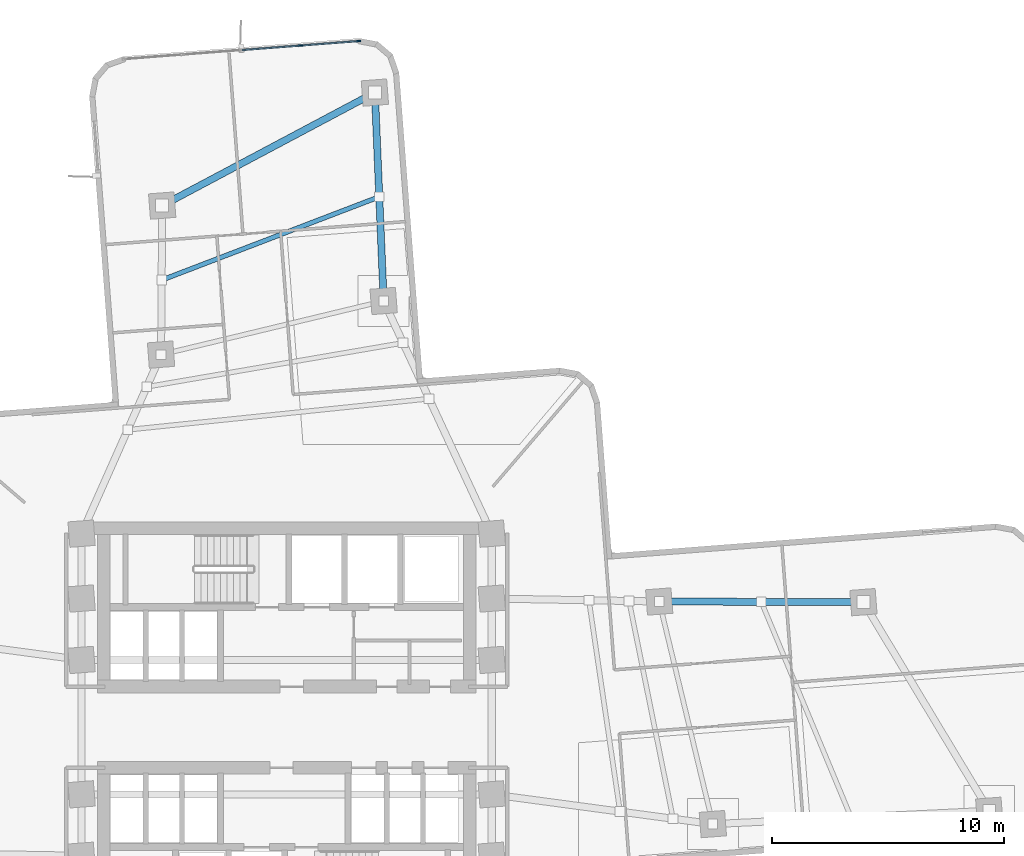
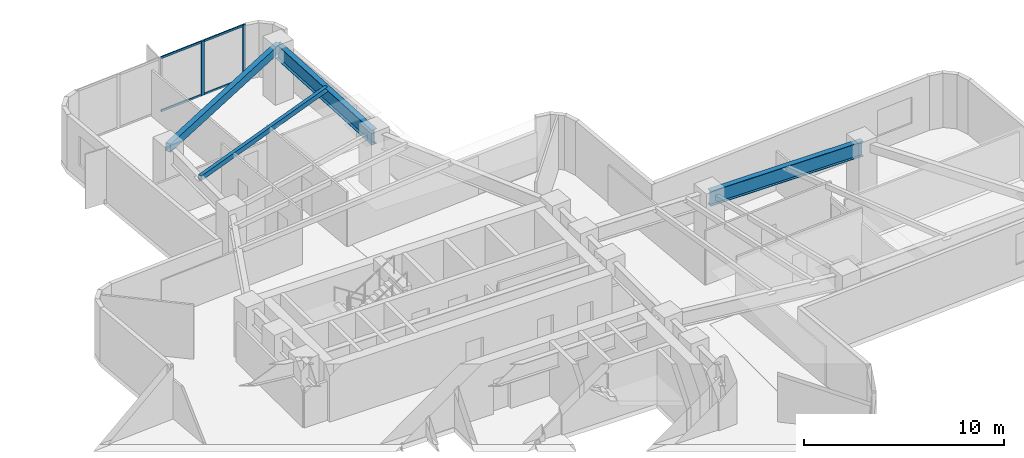
# One storey, part 6 of 15: 6 members, 4 beams, 1 element without a shape of its own.
"""IFC4 building model written with IfcOpenShell, lengths in metres."""

from ifc_helpers import new_model, si_unit, direction, frame, origin, origin_2d, place, context, subcontext, project, spatial, rectangle, hollow_rectangle, i_section, extrude, material, layer, layer_set, material_profile, profile_set, type_object, element, aggregate, save


model = new_model("IFC4")

# Units and contexts
model_context = context("Model", 3, precision=1e-05, world=origin(), true_north=direction((0.0, 1.0)))
body_context = subcontext(model_context, "Body", "Model", "MODEL_VIEW")
ifc_project = project(units=[si_unit("LENGTHUNIT", "METRE"), si_unit("AREAUNIT", "SQUARE_METRE"), si_unit("VOLUMEUNIT", "CUBIC_METRE"), si_unit("PLANEANGLEUNIT", "RADIAN"), si_unit("MASSUNIT", "GRAM", prefix="KILO")], contexts=[model_context])

# Site, building, storey
site_placement = place(None, origin())
site = spatial("IfcSite", under=ifc_project, at=site_placement, CompositionType="ELEMENT")
building_placement = place(site_placement, origin())
building = spatial("IfcBuilding", under=site, at=building_placement, Name="Solmarez Civic Tower", CompositionType="ELEMENT")
storey_placement = place(building_placement, frame((0.0, 0.0, 60.47998046875)))
storey = spatial("IfcBuildingStorey", under=building, at=storey_placement, Name="L15", CompositionType="ELEMENT", Elevation=60.47998046875)

# Beams
ifc_material_1 = material(Name="Steel S355", Category="steel")
ifc_material_profile_1 = material_profile(ifc_material_1, hollow_rectangle(XDim=0.199951171875, YDim=0.300048828125, WallThickness=0.011962890625, at=origin_2d()), Name="HSS300X200X12")
ifc_profile_set_1 = profile_set([ifc_material_profile_1], Name="Steel S355")
beam_type_1 = type_object("IfcBeamType", Name="BM-JS-HSS300X200", PredefinedType="JOIST", material=ifc_profile_set_1)
beam_1_placement = place(storey_placement, frame((3.9951171875, 22.886962890625, 3.169921875), z_axis=(-0.933878315551, -0.357590955903, 0.0), x_axis=(0.357590955903, -0.933878315551, 0.0)))
element("IfcBeam", 1, at=beam_1_placement, inside=storey, type_object=beam_type_1, Name="L15 Secondary Floor Joist JS-L15-NA-M2", PredefinedType="JOIST", context=body_context, shape_type="SweptSolid", body=[
    extrude(hollow_rectangle(XDim=0.199951171875, YDim=0.300048828125, WallThickness=0.011962890625, at=origin_2d()), origin(), (0.0, 0.0, 1.0), 10.05615234375),
])
ifc_material_profile_2 = material_profile(ifc_material_1, i_section(OverallWidth=0.303955078125, OverallDepth=0.910888671875, WebThickness=0.015869140625, FlangeThickness=0.02392578125, at=origin_2d()), Name="W36X150")
ifc_profile_set_2 = profile_set([ifc_material_profile_2], Name="Steel S355")
beam_type_2 = type_object("IfcBeamType", Name="BM-PR-W36X150", PredefinedType="BEAM", material=ifc_profile_set_2)
beam_2_placement = place(storey_placement, frame((16.075927734375, 5.4208984375, 2.864013671875), z_axis=(0.99999501223, -0.003158403928, 0.0), x_axis=(0.003158403928, 0.99999501223, 0.0)))
element("IfcBeam", 2, at=beam_2_placement, inside=storey, type_object=beam_type_2, Name="L15 Primary Floor Beam BM-L15-EA-R2B", PredefinedType="BEAM", context=body_context, shape_type="SweptSolid", body=[
    extrude(i_section(OverallWidth=0.303955078125, OverallDepth=0.910888671875, WebThickness=0.015869140625, FlangeThickness=0.02392578125, at=origin_2d()), origin(), (0.0, 0.0, 1.0), 8.81201171875),
])
beam_3_placement = place(storey_placement, frame((4.18408203125, 18.39111328125, 2.864013671875), z_axis=(-0.041911499832, 0.999121327058, 0.0), x_axis=(-0.999121327058, -0.041911499832, 0.0)))
element("IfcBeam", 3, at=beam_3_placement, inside=storey, type_object=beam_type_2, Name="L15 Primary Floor Beam BM-L15-NA-R2A", PredefinedType="BEAM", context=body_context, shape_type="SweptSolid", body=[
    extrude(i_section(OverallWidth=0.303955078125, OverallDepth=0.910888671875, WebThickness=0.015869140625, FlangeThickness=0.02392578125, at=origin_2d()), origin(), (0.0, 0.0, 1.0), 8.999755859375),
])
ifc_material_profile_3 = material_profile(ifc_material_1, hollow_rectangle(XDim=0.300048828125, YDim=0.5, WallThickness=0.02001953125, at=origin_2d()), Name="HSS500X300X20")
ifc_profile_set_3 = profile_set([ifc_material_profile_3], Name="Steel S355")
beam_type_3 = type_object("IfcBeamType", Name="BM-SP-HSS500X300", PredefinedType="SPANDREL", material=ifc_profile_set_3)
beam_4_placement = place(storey_placement, frame((3.806884765625, 27.383056640625, 3.070068359375), z_axis=(-0.883129404808, -0.469129464394, 0.0), x_axis=(0.469129464394, -0.883129404808, 0.0)))
element("IfcBeam", 4, at=beam_4_placement, inside=storey, type_object=beam_type_3, Name="L15 Perimeter Spandrel Beam BM-L15-NA-T2", PredefinedType="SPANDREL", context=body_context, shape_type="SweptSolid", body=[
    extrude(hollow_rectangle(XDim=0.300048828125, YDim=0.5, WallThickness=0.02001953125, at=origin_2d()), origin(), (0.0, 0.0, 1.0), 10.3935546875),
])

# Curtain wall, members
ifc_material_2 = material(Name="Bronze Anodised Aluminium EN AW-6063 T6", Category="aluminium")
ifc_layer = layer(ifc_material_2, 0.18505859375)
ifc_layer_set = layer_set([ifc_layer], Name="Bronze Anodised Aluminium EN AW-6063 T6")
curtain_wall_type = type_object("IfcCurtainWallType", Name="CW-SYS-2", PredefinedType="NOTDEFINED", material=ifc_layer_set)
curtain_wall_placement = place(storey_placement, origin())
curtain_wall = element("IfcCurtainWall", 5, at=curtain_wall_placement, inside=storey, type_object=curtain_wall_type, Name="L15 Stick-Built Curtain Wall 2", PredefinedType="NOTDEFINED")
ifc_material_profile_4 = material_profile(ifc_material_2, rectangle(XDim=0.070068359375, YDim=0.179931640625, at=origin_2d()), Name="CWM-70X180")
ifc_profile_set_4 = profile_set([ifc_material_profile_4], Name="Bronze Anodised Aluminium EN AW-6063 T6")
member_type_1 = type_object("IfcMemberType", Name="CWM-TYPE-2", PredefinedType="MULLION", material=ifc_profile_set_4)
member_1_placement = place(storey_placement, frame((0.60009765625, 29.4130859375, 0.0), z_axis=(0.0, 0.0, 1.0), x_axis=(-0.076726434127, 0.997052182339, 0.0)))
member_1 = element("IfcMember", 6, at=member_1_placement, type_object=member_type_1, Name="CWS2 mullion 4", PredefinedType="MULLION", context=body_context, shape_type="SweptSolid", body=[
    extrude(rectangle(XDim=0.070068359375, YDim=0.179931640625, at=origin_2d()), origin(), (0.0, 0.0, 1.0), 3.320068359375),
])
member_2_placement = place(storey_placement, frame((3.112060546875, 29.606201171875, 0.0), z_axis=(0.0, 0.0, 1.0), x_axis=(-0.076726434127, 0.997052182339, 0.0)))
member_2 = element("IfcMember", 7, at=member_2_placement, type_object=member_type_1, Name="CWS2 mullion 5", PredefinedType="MULLION", context=body_context, shape_type="SweptSolid", body=[
    extrude(rectangle(XDim=0.070068359375, YDim=0.179931640625, at=origin_2d()), origin(), (0.0, 0.0, 1.0), 3.320068359375),
])
ifc_material_profile_5 = material_profile(ifc_material_2, rectangle(XDim=0.06494140625, YDim=0.125, at=origin_2d()), Name="CWT-65X125")
ifc_profile_set_5 = profile_set([ifc_material_profile_5], Name="Bronze Anodised Aluminium EN AW-6063 T6")
member_type_2 = type_object("IfcMemberType", Name="CWT-TYPE-2", PredefinedType="USERDEFINED", material=ifc_profile_set_5)
member_3_placement = place(storey_placement, frame((-1.912109375, 29.2197265625, 0.032470703125), z_axis=(0.997051016459, 0.076741583114, 0.0), x_axis=(-0.076741583114, 0.997051016459, 0.0)))
member_3 = element("IfcMember", 8, at=member_3_placement, type_object=member_type_2, Name="CWS2 transom 3.1", ObjectType="TRANSOM", PredefinedType="USERDEFINED", context=body_context, shape_type="SweptSolid", body=[
    extrude(rectangle(XDim=0.06494140625, YDim=0.125, at=origin_2d()), origin(), (0.0, 0.0, 1.0), 2.484619140625),
])
member_4_placement = place(storey_placement, frame((-1.912109375, 29.2197265625, 3.28759765625), z_axis=(0.997051016459, 0.076741583114, 0.0), x_axis=(-0.076741583114, 0.997051016459, 0.0)))
member_4 = element("IfcMember", 9, at=member_4_placement, type_object=member_type_2, Name="CWS2 transom 3.2", ObjectType="TRANSOM", PredefinedType="USERDEFINED", context=body_context, shape_type="SweptSolid", body=[
    extrude(rectangle(XDim=0.06494140625, YDim=0.125, at=origin_2d()), origin(), (0.0, 0.0, 1.0), 2.484619140625),
])
member_5_placement = place(storey_placement, frame((0.635009765625, 29.415771484375, 0.032470703125), z_axis=(0.997058002426, 0.076650765157, 0.0), x_axis=(-0.076650765157, 0.997058002426, 0.0)))
member_5 = element("IfcMember", 10, at=member_5_placement, type_object=member_type_2, Name="CWS2 transom 4.1", ObjectType="TRANSOM", PredefinedType="USERDEFINED", context=body_context, shape_type="SweptSolid", body=[
    extrude(rectangle(XDim=0.06494140625, YDim=0.125, at=origin_2d()), origin(), (0.0, 0.0, 1.0), 2.449462890625),
])
member_6_placement = place(storey_placement, frame((0.635009765625, 29.415771484375, 3.28759765625), z_axis=(0.997058002426, 0.076650765157, 0.0), x_axis=(-0.076650765157, 0.997058002426, 0.0)))
member_6 = element("IfcMember", 11, at=member_6_placement, type_object=member_type_2, Name="CWS2 transom 4.2", ObjectType="TRANSOM", PredefinedType="USERDEFINED", context=body_context, shape_type="SweptSolid", body=[
    extrude(rectangle(XDim=0.06494140625, YDim=0.125, at=origin_2d()), origin(), (0.0, 0.0, 1.0), 2.449462890625),
])
aggregate(curtain_wall, [member_1, member_2, member_3, member_4, member_5, member_6])

save(model, "model.ifc")
